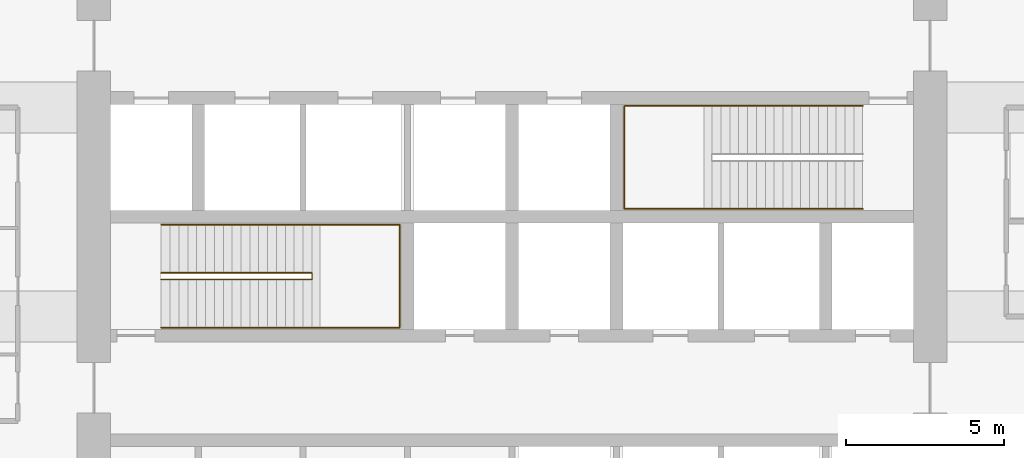
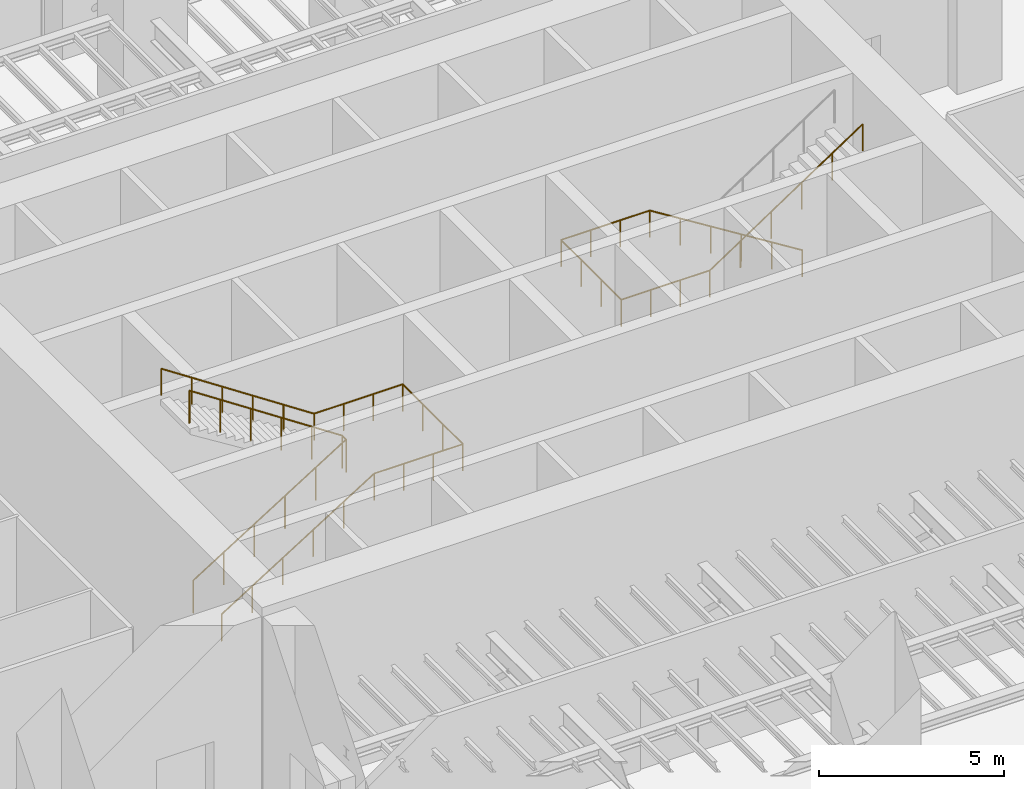
# One storey, part 16 of 17: 3 railings.
"""IFC4 building model written with IfcOpenShell, lengths in metres."""

from ifc_helpers import new_model, si_unit, direction, frame, origin, place, context, subcontext, project, spatial, polyline, outline, extrude, material, type_object, element, save


model = new_model("IFC4")

# Units and contexts
model_context = context("Model", 3, precision=1e-05, world=origin(), true_north=direction((0.0, 1.0)))
body_context = subcontext(model_context, "Body", "Model", "MODEL_VIEW")
ifc_project = project(units=[si_unit("LENGTHUNIT", "METRE"), si_unit("AREAUNIT", "SQUARE_METRE"), si_unit("VOLUMEUNIT", "CUBIC_METRE"), si_unit("PLANEANGLEUNIT", "RADIAN"), si_unit("MASSUNIT", "GRAM", prefix="KILO")], contexts=[model_context])

# Site, building, storey
site_placement = place(None, origin())
site = spatial("IfcSite", under=ifc_project, at=site_placement, CompositionType="ELEMENT")
building_placement = place(site_placement, origin())
building = spatial("IfcBuilding", under=site, at=building_placement, Name="Cobogo Forest Laboratory Tower", CompositionType="ELEMENT")
storey_placement = place(building_placement, frame((0.0, 0.0, 75.89990234375)))
storey = spatial("IfcBuildingStorey", under=building, at=storey_placement, Name="L17", CompositionType="ELEMENT", Elevation=75.89990234375)

# Railings
ifc_material_1 = material(Name="Steel balustrade", Category="steel")
railing_type_1 = type_object("IfcRailingType", Name="GR stair guard 1100", PredefinedType="GUARDRAIL", material=ifc_material_1)
railing_1_placement = place(storey_placement, frame((15.324951171875, 20.969970703125, 0.175048828125)))
element("IfcRailing", 1, at=railing_1_placement, inside=storey, type_object=railing_type_1, Name="Stair guard ST1 L17", PredefinedType="GUARDRAIL", context=body_context, shape_type="SweptSolid", body=[
    extrude(outline(polyline([(0.022216796875, 0.00927734375), (0.00927734375, 0.022216796875), (-0.00927734375, 0.022216796875), (-0.022216796875, 0.00927734375), (-0.022216796875, -0.00927734375), (-0.00927734375, -0.022216796875), (0.00927734375, -0.022216796875), (0.022216796875, -0.00927734375), (0.022216796875, 0.00927734375)])), frame((0.0, 0.0, 1.077880859375), z_axis=(0.847990973574, 0.0, 0.530010668512), x_axis=(0.0, 1.0, 0.0)), (0.0, 0.0, 1.0), 5.61328125),
    extrude(outline(polyline([(0.022216796875, 0.00927734375), (0.00927734375, 0.022216796875), (-0.00927734375, 0.022216796875), (-0.022216796875, 0.00927734375), (-0.022216796875, -0.00927734375), (-0.00927734375, -0.022216796875), (0.00927734375, -0.022216796875), (0.022216796875, -0.00927734375), (0.022216796875, 0.00927734375)])), frame((4.760009765625, 0.0, 4.052978515625), z_axis=(0.0, 1.0, 0.0), x_axis=(-1.0, 0.0, 0.0)), (0.0, 0.0, 1.0), 0.2099609375),
    extrude(outline(polyline([(0.022216796875, 0.00927734375), (0.00927734375, 0.022216796875), (-0.00927734375, 0.022216796875), (-0.022216796875, 0.00927734375), (-0.022216796875, -0.00927734375), (-0.00927734375, -0.022216796875), (0.00927734375, -0.022216796875), (0.022216796875, -0.00927734375), (0.022216796875, 0.00927734375)])), frame((4.760009765625, 0.2099609375, 4.052978515625), z_axis=(-0.833940600646, 0.0, 0.551854214983), x_axis=(0.0, -1.0, 0.0)), (0.0, 0.0, 1.0), 5.707763671875),
    extrude(outline(polyline([(0.019287109375, 0.008056640625), (0.008056640625, 0.019287109375), (-0.008056640625, 0.019287109375), (-0.019287109375, 0.008056640625), (-0.019287109375, -0.008056640625), (-0.008056640625, -0.019287109375), (0.008056640625, -0.019287109375), (0.019287109375, -0.008056640625), (0.019287109375, 0.008056640625)])), origin(), (0.0, 0.0, 1.0), 1.077880859375),
    extrude(outline(polyline([(0.019287109375, 0.008056640625), (0.008056640625, 0.019287109375), (-0.008056640625, 0.019287109375), (-0.019287109375, 0.008056640625), (-0.019287109375, -0.008056640625), (-0.008056640625, -0.019287109375), (0.008056640625, -0.019287109375), (0.019287109375, -0.008056640625), (0.019287109375, 0.008056640625)])), frame((0.951904296875, 0.0, 0.594970703125)), (0.0, 0.0, 1.0), 1.077880859375),
    extrude(outline(polyline([(0.019287109375, 0.008056640625), (0.008056640625, 0.019287109375), (-0.008056640625, 0.019287109375), (-0.019287109375, 0.008056640625), (-0.019287109375, -0.008056640625), (-0.008056640625, -0.019287109375), (0.008056640625, -0.019287109375), (0.019287109375, -0.008056640625), (0.019287109375, 0.008056640625)])), frame((1.904052734375, 0.0, 1.18994140625)), (0.0, 0.0, 1.0), 1.077880859375),
    extrude(outline(polyline([(0.019287109375, 0.008056640625), (0.008056640625, 0.019287109375), (-0.008056640625, 0.019287109375), (-0.019287109375, 0.008056640625), (-0.019287109375, -0.008056640625), (-0.008056640625, -0.019287109375), (0.008056640625, -0.019287109375), (0.019287109375, -0.008056640625), (0.019287109375, 0.008056640625)])), frame((2.85595703125, 0.0, 1.78515625)), (0.0, 0.0, 1.0), 1.077880859375),
    extrude(outline(polyline([(0.019287109375, 0.008056640625), (0.008056640625, 0.019287109375), (-0.008056640625, 0.019287109375), (-0.019287109375, 0.008056640625), (-0.019287109375, -0.008056640625), (-0.008056640625, -0.019287109375), (0.008056640625, -0.019287109375), (0.019287109375, -0.008056640625), (0.019287109375, 0.008056640625)])), frame((3.80810546875, 0.0, 2.380126953125)), (0.0, 0.0, 1.0), 1.077880859375),
    extrude(outline(polyline([(0.019287109375, 0.008056640625), (0.008056640625, 0.019287109375), (-0.008056640625, 0.019287109375), (-0.019287109375, 0.008056640625), (-0.019287109375, -0.008056640625), (-0.008056640625, -0.019287109375), (0.008056640625, -0.019287109375), (0.019287109375, -0.008056640625), (0.019287109375, 0.008056640625)])), frame((4.760009765625, 0.0, 2.97509765625)), (0.0, 0.0, 1.0), 1.077880859375),
    extrude(outline(polyline([(0.019287109375, 0.008056640625), (0.008056640625, 0.019287109375), (-0.008056640625, 0.019287109375), (-0.019287109375, 0.008056640625), (-0.019287109375, -0.008056640625), (-0.008056640625, -0.019287109375), (0.008056640625, -0.019287109375), (0.019287109375, -0.008056640625), (0.019287109375, 0.008056640625)])), frame((4.760009765625, 0.2099609375, 2.97509765625)), (0.0, 0.0, 1.0), 1.077880859375),
    extrude(outline(polyline([(0.019287109375, 0.008056640625), (0.008056640625, 0.019287109375), (-0.008056640625, 0.019287109375), (-0.019287109375, 0.008056640625), (-0.019287109375, -0.008056640625), (-0.008056640625, -0.019287109375), (0.008056640625, -0.019287109375), (0.019287109375, -0.008056640625), (0.019287109375, 0.008056640625)])), frame((3.80810546875, 0.2099609375, 3.60498046875)), (0.0, 0.0, 1.0), 1.077880859375),
    extrude(outline(polyline([(0.019287109375, 0.008056640625), (0.008056640625, 0.019287109375), (-0.008056640625, 0.019287109375), (-0.019287109375, 0.008056640625), (-0.019287109375, -0.008056640625), (-0.008056640625, -0.019287109375), (0.008056640625, -0.019287109375), (0.019287109375, -0.008056640625), (0.019287109375, 0.008056640625)])), frame((2.85595703125, 0.2099609375, 4.235107421875)), (0.0, 0.0, 1.0), 1.077880859375),
    extrude(outline(polyline([(0.019287109375, 0.008056640625), (0.008056640625, 0.019287109375), (-0.008056640625, 0.019287109375), (-0.019287109375, 0.008056640625), (-0.019287109375, -0.008056640625), (-0.008056640625, -0.019287109375), (0.008056640625, -0.019287109375), (0.019287109375, -0.008056640625), (0.019287109375, 0.008056640625)])), frame((1.904052734375, 0.2099609375, 4.864990234375)), (0.0, 0.0, 1.0), 1.077880859375),
    extrude(outline(polyline([(0.019287109375, 0.008056640625), (0.008056640625, 0.019287109375), (-0.008056640625, 0.019287109375), (-0.019287109375, 0.008056640625), (-0.019287109375, -0.008056640625), (-0.008056640625, -0.019287109375), (0.008056640625, -0.019287109375), (0.019287109375, -0.008056640625), (0.019287109375, 0.008056640625)])), frame((0.951904296875, 0.2099609375, 5.4951171875)), (0.0, 0.0, 1.0), 1.077880859375),
    extrude(outline(polyline([(0.019287109375, 0.008056640625), (0.008056640625, 0.019287109375), (-0.008056640625, 0.019287109375), (-0.019287109375, 0.008056640625), (-0.019287109375, -0.008056640625), (-0.008056640625, -0.019287109375), (0.008056640625, -0.019287109375), (0.019287109375, -0.008056640625), (0.019287109375, 0.008056640625)])), frame((0.0, 0.2099609375, 6.125)), (0.0, 0.0, 1.0), 1.077880859375),
])
ifc_material_2 = material(Name="Stainless steel handrail", Category="steel")
railing_type_2 = type_object("IfcRailingType", Name="HR handrail 900", PredefinedType="HANDRAIL", material=ifc_material_2)
railing_2_placement = place(storey_placement, frame((15.324951171875, 19.449951171875, 0.175048828125)))
element("IfcRailing", 2, at=railing_2_placement, inside=storey, type_object=railing_type_2, Name="Stair handrail ST1 L17", PredefinedType="HANDRAIL", context=body_context, shape_type="SweptSolid", body=[
    extrude(outline(polyline([(0.022216796875, 0.00927734375), (0.00927734375, 0.022216796875), (-0.00927734375, 0.022216796875), (-0.022216796875, 0.00927734375), (-0.022216796875, -0.00927734375), (-0.00927734375, -0.022216796875), (0.00927734375, -0.022216796875), (0.022216796875, -0.00927734375), (0.022216796875, 0.00927734375)])), frame((0.0, 0.0, 0.877685546875), z_axis=(0.847990973574, 0.0, 0.530010668512), x_axis=(0.0, 1.0, 0.0)), (0.0, 0.0, 1.0), 5.61328125),
    extrude(outline(polyline([(0.022216796875, 0.00927734375), (0.00927734375, 0.022216796875), (-0.00927734375, 0.022216796875), (-0.022216796875, 0.00927734375), (-0.022216796875, -0.00927734375), (-0.00927734375, -0.022216796875), (0.00927734375, -0.022216796875), (0.022216796875, -0.00927734375), (0.022216796875, 0.00927734375)])), frame((4.760009765625, 0.0, 3.852783203125), z_axis=(1.0, 0.0, 0.0), x_axis=(0.0, 1.0, 0.0)), (0.0, 0.0, 1.0), 2.76513671875),
    extrude(outline(polyline([(0.022216796875, 0.00927734375), (0.00927734375, 0.022216796875), (-0.00927734375, 0.022216796875), (-0.022216796875, 0.00927734375), (-0.022216796875, -0.00927734375), (-0.00927734375, -0.022216796875), (0.00927734375, -0.022216796875), (0.022216796875, -0.00927734375), (0.022216796875, 0.00927734375)])), frame((7.525146484375, 0.0, 3.852783203125), z_axis=(0.0, 1.0, 0.0), x_axis=(-1.0, 0.0, 0.0)), (0.0, 0.0, 1.0), 3.25),
    extrude(outline(polyline([(0.022216796875, 0.00927734375), (0.00927734375, 0.022216796875), (-0.00927734375, 0.022216796875), (-0.022216796875, 0.00927734375), (-0.022216796875, -0.00927734375), (-0.00927734375, -0.022216796875), (0.00927734375, -0.022216796875), (0.022216796875, -0.00927734375), (0.022216796875, 0.00927734375)])), frame((7.525146484375, 3.25, 3.852783203125), z_axis=(-1.0, 0.0, 0.0), x_axis=(0.0, -1.0, 0.0)), (0.0, 0.0, 1.0), 2.76513671875),
    extrude(outline(polyline([(0.022216796875, 0.00927734375), (0.00927734375, 0.022216796875), (-0.00927734375, 0.022216796875), (-0.022216796875, 0.00927734375), (-0.022216796875, -0.00927734375), (-0.00927734375, -0.022216796875), (0.00927734375, -0.022216796875), (0.022216796875, -0.00927734375), (0.022216796875, 0.00927734375)])), frame((4.760009765625, 3.25, 3.852783203125), z_axis=(-0.833940600646, 0.0, 0.551854214983), x_axis=(0.0, -1.0, 0.0)), (0.0, 0.0, 1.0), 5.707763671875),
    extrude(outline(polyline([(0.019287109375, 0.008056640625), (0.008056640625, 0.019287109375), (-0.008056640625, 0.019287109375), (-0.019287109375, 0.008056640625), (-0.019287109375, -0.008056640625), (-0.008056640625, -0.019287109375), (0.008056640625, -0.019287109375), (0.019287109375, -0.008056640625), (0.019287109375, 0.008056640625)])), origin(), (0.0, 0.0, 1.0), 0.877685546875),
    extrude(outline(polyline([(0.019287109375, 0.008056640625), (0.008056640625, 0.019287109375), (-0.008056640625, 0.019287109375), (-0.019287109375, 0.008056640625), (-0.019287109375, -0.008056640625), (-0.008056640625, -0.019287109375), (0.008056640625, -0.019287109375), (0.019287109375, -0.008056640625), (0.019287109375, 0.008056640625)])), frame((0.951904296875, 0.0, 0.594970703125)), (0.0, 0.0, 1.0), 0.877685546875),
    extrude(outline(polyline([(0.019287109375, 0.008056640625), (0.008056640625, 0.019287109375), (-0.008056640625, 0.019287109375), (-0.019287109375, 0.008056640625), (-0.019287109375, -0.008056640625), (-0.008056640625, -0.019287109375), (0.008056640625, -0.019287109375), (0.019287109375, -0.008056640625), (0.019287109375, 0.008056640625)])), frame((1.904052734375, 0.0, 1.18994140625)), (0.0, 0.0, 1.0), 0.877685546875),
    extrude(outline(polyline([(0.019287109375, 0.008056640625), (0.008056640625, 0.019287109375), (-0.008056640625, 0.019287109375), (-0.019287109375, 0.008056640625), (-0.019287109375, -0.008056640625), (-0.008056640625, -0.019287109375), (0.008056640625, -0.019287109375), (0.019287109375, -0.008056640625), (0.019287109375, 0.008056640625)])), frame((2.85595703125, 0.0, 1.78515625)), (0.0, 0.0, 1.0), 0.877685546875),
    extrude(outline(polyline([(0.019287109375, 0.008056640625), (0.008056640625, 0.019287109375), (-0.008056640625, 0.019287109375), (-0.019287109375, 0.008056640625), (-0.019287109375, -0.008056640625), (-0.008056640625, -0.019287109375), (0.008056640625, -0.019287109375), (0.019287109375, -0.008056640625), (0.019287109375, 0.008056640625)])), frame((3.80810546875, 0.0, 2.380126953125)), (0.0, 0.0, 1.0), 0.877685546875),
    extrude(outline(polyline([(0.019287109375, 0.008056640625), (0.008056640625, 0.019287109375), (-0.008056640625, 0.019287109375), (-0.019287109375, 0.008056640625), (-0.019287109375, -0.008056640625), (-0.008056640625, -0.019287109375), (0.008056640625, -0.019287109375), (0.019287109375, -0.008056640625), (0.019287109375, 0.008056640625)])), frame((4.760009765625, 0.0, 2.97509765625)), (0.0, 0.0, 1.0), 0.877685546875),
    extrude(outline(polyline([(0.019287109375, 0.008056640625), (0.008056640625, 0.019287109375), (-0.008056640625, 0.019287109375), (-0.019287109375, 0.008056640625), (-0.019287109375, -0.008056640625), (-0.008056640625, -0.019287109375), (0.008056640625, -0.019287109375), (0.019287109375, -0.008056640625), (0.019287109375, 0.008056640625)])), frame((5.681640625, 0.0, 2.97509765625)), (0.0, 0.0, 1.0), 0.877685546875),
    extrude(outline(polyline([(0.019287109375, 0.008056640625), (0.008056640625, 0.019287109375), (-0.008056640625, 0.019287109375), (-0.019287109375, 0.008056640625), (-0.019287109375, -0.008056640625), (-0.008056640625, -0.019287109375), (0.008056640625, -0.019287109375), (0.019287109375, -0.008056640625), (0.019287109375, 0.008056640625)])), frame((6.603515625, 0.0, 2.97509765625)), (0.0, 0.0, 1.0), 0.877685546875),
    extrude(outline(polyline([(0.019287109375, 0.008056640625), (0.008056640625, 0.019287109375), (-0.008056640625, 0.019287109375), (-0.019287109375, 0.008056640625), (-0.019287109375, -0.008056640625), (-0.008056640625, -0.019287109375), (0.008056640625, -0.019287109375), (0.019287109375, -0.008056640625), (0.019287109375, 0.008056640625)])), frame((7.525146484375, 0.0, 2.97509765625)), (0.0, 0.0, 1.0), 0.877685546875),
    extrude(outline(polyline([(0.019287109375, 0.008056640625), (0.008056640625, 0.019287109375), (-0.008056640625, 0.019287109375), (-0.019287109375, 0.008056640625), (-0.019287109375, -0.008056640625), (-0.008056640625, -0.019287109375), (0.008056640625, -0.019287109375), (0.019287109375, -0.008056640625), (0.019287109375, 0.008056640625)])), frame((7.525146484375, 1.083251953125, 2.97509765625)), (0.0, 0.0, 1.0), 0.877685546875),
    extrude(outline(polyline([(0.019287109375, 0.008056640625), (0.008056640625, 0.019287109375), (-0.008056640625, 0.019287109375), (-0.019287109375, 0.008056640625), (-0.019287109375, -0.008056640625), (-0.008056640625, -0.019287109375), (0.008056640625, -0.019287109375), (0.019287109375, -0.008056640625), (0.019287109375, 0.008056640625)])), frame((7.525146484375, 2.166748046875, 2.97509765625)), (0.0, 0.0, 1.0), 0.877685546875),
    extrude(outline(polyline([(0.019287109375, 0.008056640625), (0.008056640625, 0.019287109375), (-0.008056640625, 0.019287109375), (-0.019287109375, 0.008056640625), (-0.019287109375, -0.008056640625), (-0.008056640625, -0.019287109375), (0.008056640625, -0.019287109375), (0.019287109375, -0.008056640625), (0.019287109375, 0.008056640625)])), frame((7.525146484375, 3.25, 2.97509765625)), (0.0, 0.0, 1.0), 0.877685546875),
    extrude(outline(polyline([(0.019287109375, 0.008056640625), (0.008056640625, 0.019287109375), (-0.008056640625, 0.019287109375), (-0.019287109375, 0.008056640625), (-0.019287109375, -0.008056640625), (-0.008056640625, -0.019287109375), (0.008056640625, -0.019287109375), (0.019287109375, -0.008056640625), (0.019287109375, 0.008056640625)])), frame((6.603515625, 3.25, 2.97509765625)), (0.0, 0.0, 1.0), 0.877685546875),
    extrude(outline(polyline([(0.019287109375, 0.008056640625), (0.008056640625, 0.019287109375), (-0.008056640625, 0.019287109375), (-0.019287109375, 0.008056640625), (-0.019287109375, -0.008056640625), (-0.008056640625, -0.019287109375), (0.008056640625, -0.019287109375), (0.019287109375, -0.008056640625), (0.019287109375, 0.008056640625)])), frame((5.681640625, 3.25, 2.97509765625)), (0.0, 0.0, 1.0), 0.877685546875),
    extrude(outline(polyline([(0.019287109375, 0.008056640625), (0.008056640625, 0.019287109375), (-0.008056640625, 0.019287109375), (-0.019287109375, 0.008056640625), (-0.019287109375, -0.008056640625), (-0.008056640625, -0.019287109375), (0.008056640625, -0.019287109375), (0.019287109375, -0.008056640625), (0.019287109375, 0.008056640625)])), frame((4.760009765625, 3.25, 2.97509765625)), (0.0, 0.0, 1.0), 0.877685546875),
    extrude(outline(polyline([(0.019287109375, 0.008056640625), (0.008056640625, 0.019287109375), (-0.008056640625, 0.019287109375), (-0.019287109375, 0.008056640625), (-0.019287109375, -0.008056640625), (-0.008056640625, -0.019287109375), (0.008056640625, -0.019287109375), (0.019287109375, -0.008056640625), (0.019287109375, 0.008056640625)])), frame((3.80810546875, 3.25, 3.60498046875)), (0.0, 0.0, 1.0), 0.877685546875),
    extrude(outline(polyline([(0.019287109375, 0.008056640625), (0.008056640625, 0.019287109375), (-0.008056640625, 0.019287109375), (-0.019287109375, 0.008056640625), (-0.019287109375, -0.008056640625), (-0.008056640625, -0.019287109375), (0.008056640625, -0.019287109375), (0.019287109375, -0.008056640625), (0.019287109375, 0.008056640625)])), frame((2.85595703125, 3.25, 4.235107421875)), (0.0, 0.0, 1.0), 0.877685546875),
    extrude(outline(polyline([(0.019287109375, 0.008056640625), (0.008056640625, 0.019287109375), (-0.008056640625, 0.019287109375), (-0.019287109375, 0.008056640625), (-0.019287109375, -0.008056640625), (-0.008056640625, -0.019287109375), (0.008056640625, -0.019287109375), (0.019287109375, -0.008056640625), (0.019287109375, 0.008056640625)])), frame((1.904052734375, 3.25, 4.864990234375)), (0.0, 0.0, 1.0), 0.877685546875),
    extrude(outline(polyline([(0.019287109375, 0.008056640625), (0.008056640625, 0.019287109375), (-0.008056640625, 0.019287109375), (-0.019287109375, 0.008056640625), (-0.019287109375, -0.008056640625), (-0.008056640625, -0.019287109375), (0.008056640625, -0.019287109375), (0.019287109375, -0.008056640625), (0.019287109375, 0.008056640625)])), frame((0.951904296875, 3.25, 5.4951171875)), (0.0, 0.0, 1.0), 0.877685546875),
    extrude(outline(polyline([(0.019287109375, 0.008056640625), (0.008056640625, 0.019287109375), (-0.008056640625, 0.019287109375), (-0.019287109375, 0.008056640625), (-0.019287109375, -0.008056640625), (-0.008056640625, -0.019287109375), (0.008056640625, -0.019287109375), (0.019287109375, -0.008056640625), (0.019287109375, 0.008056640625)])), frame((0.0, 3.25, 6.125)), (0.0, 0.0, 1.0), 0.877685546875),
])
railing_3_placement = place(storey_placement, frame((37.47509765625, 26.449951171875, 0.175048828125)))
element("IfcRailing", 3, at=railing_3_placement, inside=storey, type_object=railing_type_2, Name="Stair handrail ST2 L17", PredefinedType="HANDRAIL", context=body_context, shape_type="SweptSolid", body=[
    extrude(outline(polyline([(0.022216796875, 0.00927734375), (0.00927734375, 0.022216796875), (-0.00927734375, 0.022216796875), (-0.022216796875, 0.00927734375), (-0.022216796875, -0.00927734375), (-0.00927734375, -0.022216796875), (0.00927734375, -0.022216796875), (0.022216796875, -0.00927734375), (0.022216796875, 0.00927734375)])), frame((0.0, 0.0, 0.877685546875), z_axis=(-0.847990973574, 0.0, 0.530010668512), x_axis=(0.0, -1.0, 0.0)), (0.0, 0.0, 1.0), 5.61328125),
    extrude(outline(polyline([(0.022216796875, 0.00927734375), (0.00927734375, 0.022216796875), (-0.00927734375, 0.022216796875), (-0.022216796875, 0.00927734375), (-0.022216796875, -0.00927734375), (-0.00927734375, -0.022216796875), (0.00927734375, -0.022216796875), (0.022216796875, -0.00927734375), (0.022216796875, 0.00927734375)])), frame((-4.760009765625, 0.0, 3.852783203125), z_axis=(-1.0, 0.0, 0.0), x_axis=(0.0, -1.0, 0.0)), (0.0, 0.0, 1.0), 2.76513671875),
    extrude(outline(polyline([(0.022216796875, 0.00927734375), (0.00927734375, 0.022216796875), (-0.00927734375, 0.022216796875), (-0.022216796875, 0.00927734375), (-0.022216796875, -0.00927734375), (-0.00927734375, -0.022216796875), (0.00927734375, -0.022216796875), (0.022216796875, -0.00927734375), (0.022216796875, 0.00927734375)])), frame((-7.525146484375, 0.0, 3.852783203125), z_axis=(0.0, -1.0, 0.0), x_axis=(1.0, 0.0, 0.0)), (0.0, 0.0, 1.0), 3.25),
    extrude(outline(polyline([(0.022216796875, 0.00927734375), (0.00927734375, 0.022216796875), (-0.00927734375, 0.022216796875), (-0.022216796875, 0.00927734375), (-0.022216796875, -0.00927734375), (-0.00927734375, -0.022216796875), (0.00927734375, -0.022216796875), (0.022216796875, -0.00927734375), (0.022216796875, 0.00927734375)])), frame((-7.525146484375, -3.25, 3.852783203125), z_axis=(1.0, 0.0, 0.0), x_axis=(0.0, 1.0, 0.0)), (0.0, 0.0, 1.0), 2.76513671875),
    extrude(outline(polyline([(0.022216796875, 0.00927734375), (0.00927734375, 0.022216796875), (-0.00927734375, 0.022216796875), (-0.022216796875, 0.00927734375), (-0.022216796875, -0.00927734375), (-0.00927734375, -0.022216796875), (0.00927734375, -0.022216796875), (0.022216796875, -0.00927734375), (0.022216796875, 0.00927734375)])), frame((-4.760009765625, -3.25, 3.852783203125), z_axis=(0.833940600646, 0.0, 0.551854214983), x_axis=(0.0, 1.0, 0.0)), (0.0, 0.0, 1.0), 5.707763671875),
    extrude(outline(polyline([(0.019287109375, 0.008056640625), (0.008056640625, 0.019287109375), (-0.008056640625, 0.019287109375), (-0.019287109375, 0.008056640625), (-0.019287109375, -0.008056640625), (-0.008056640625, -0.019287109375), (0.008056640625, -0.019287109375), (0.019287109375, -0.008056640625), (0.019287109375, 0.008056640625)])), origin(), (0.0, 0.0, 1.0), 0.877685546875),
    extrude(outline(polyline([(0.019287109375, 0.008056640625), (0.008056640625, 0.019287109375), (-0.008056640625, 0.019287109375), (-0.019287109375, 0.008056640625), (-0.019287109375, -0.008056640625), (-0.008056640625, -0.019287109375), (0.008056640625, -0.019287109375), (0.019287109375, -0.008056640625), (0.019287109375, 0.008056640625)])), frame((-0.951904296875, 0.0, 0.594970703125)), (0.0, 0.0, 1.0), 0.877685546875),
    extrude(outline(polyline([(0.019287109375, 0.008056640625), (0.008056640625, 0.019287109375), (-0.008056640625, 0.019287109375), (-0.019287109375, 0.008056640625), (-0.019287109375, -0.008056640625), (-0.008056640625, -0.019287109375), (0.008056640625, -0.019287109375), (0.019287109375, -0.008056640625), (0.019287109375, 0.008056640625)])), frame((-1.904052734375, 0.0, 1.18994140625)), (0.0, 0.0, 1.0), 0.877685546875),
    extrude(outline(polyline([(0.019287109375, 0.008056640625), (0.008056640625, 0.019287109375), (-0.008056640625, 0.019287109375), (-0.019287109375, 0.008056640625), (-0.019287109375, -0.008056640625), (-0.008056640625, -0.019287109375), (0.008056640625, -0.019287109375), (0.019287109375, -0.008056640625), (0.019287109375, 0.008056640625)])), frame((-2.85595703125, 0.0, 1.78515625)), (0.0, 0.0, 1.0), 0.877685546875),
    extrude(outline(polyline([(0.019287109375, 0.008056640625), (0.008056640625, 0.019287109375), (-0.008056640625, 0.019287109375), (-0.019287109375, 0.008056640625), (-0.019287109375, -0.008056640625), (-0.008056640625, -0.019287109375), (0.008056640625, -0.019287109375), (0.019287109375, -0.008056640625), (0.019287109375, 0.008056640625)])), frame((-3.80810546875, 0.0, 2.380126953125)), (0.0, 0.0, 1.0), 0.877685546875),
    extrude(outline(polyline([(0.019287109375, 0.008056640625), (0.008056640625, 0.019287109375), (-0.008056640625, 0.019287109375), (-0.019287109375, 0.008056640625), (-0.019287109375, -0.008056640625), (-0.008056640625, -0.019287109375), (0.008056640625, -0.019287109375), (0.019287109375, -0.008056640625), (0.019287109375, 0.008056640625)])), frame((-4.760009765625, 0.0, 2.97509765625)), (0.0, 0.0, 1.0), 0.877685546875),
    extrude(outline(polyline([(0.019287109375, 0.008056640625), (0.008056640625, 0.019287109375), (-0.008056640625, 0.019287109375), (-0.019287109375, 0.008056640625), (-0.019287109375, -0.008056640625), (-0.008056640625, -0.019287109375), (0.008056640625, -0.019287109375), (0.019287109375, -0.008056640625), (0.019287109375, 0.008056640625)])), frame((-5.681640625, 0.0, 2.97509765625)), (0.0, 0.0, 1.0), 0.877685546875),
    extrude(outline(polyline([(0.019287109375, 0.008056640625), (0.008056640625, 0.019287109375), (-0.008056640625, 0.019287109375), (-0.019287109375, 0.008056640625), (-0.019287109375, -0.008056640625), (-0.008056640625, -0.019287109375), (0.008056640625, -0.019287109375), (0.019287109375, -0.008056640625), (0.019287109375, 0.008056640625)])), frame((-6.603515625, 0.0, 2.97509765625)), (0.0, 0.0, 1.0), 0.877685546875),
    extrude(outline(polyline([(0.019287109375, 0.008056640625), (0.008056640625, 0.019287109375), (-0.008056640625, 0.019287109375), (-0.019287109375, 0.008056640625), (-0.019287109375, -0.008056640625), (-0.008056640625, -0.019287109375), (0.008056640625, -0.019287109375), (0.019287109375, -0.008056640625), (0.019287109375, 0.008056640625)])), frame((-7.525146484375, 0.0, 2.97509765625)), (0.0, 0.0, 1.0), 0.877685546875),
    extrude(outline(polyline([(0.019287109375, 0.008056640625), (0.008056640625, 0.019287109375), (-0.008056640625, 0.019287109375), (-0.019287109375, 0.008056640625), (-0.019287109375, -0.008056640625), (-0.008056640625, -0.019287109375), (0.008056640625, -0.019287109375), (0.019287109375, -0.008056640625), (0.019287109375, 0.008056640625)])), frame((-7.525146484375, -1.083251953125, 2.97509765625)), (0.0, 0.0, 1.0), 0.877685546875),
    extrude(outline(polyline([(0.019287109375, 0.008056640625), (0.008056640625, 0.019287109375), (-0.008056640625, 0.019287109375), (-0.019287109375, 0.008056640625), (-0.019287109375, -0.008056640625), (-0.008056640625, -0.019287109375), (0.008056640625, -0.019287109375), (0.019287109375, -0.008056640625), (0.019287109375, 0.008056640625)])), frame((-7.525146484375, -2.166748046875, 2.97509765625)), (0.0, 0.0, 1.0), 0.877685546875),
    extrude(outline(polyline([(0.019287109375, 0.008056640625), (0.008056640625, 0.019287109375), (-0.008056640625, 0.019287109375), (-0.019287109375, 0.008056640625), (-0.019287109375, -0.008056640625), (-0.008056640625, -0.019287109375), (0.008056640625, -0.019287109375), (0.019287109375, -0.008056640625), (0.019287109375, 0.008056640625)])), frame((-7.525146484375, -3.25, 2.97509765625)), (0.0, 0.0, 1.0), 0.877685546875),
    extrude(outline(polyline([(0.019287109375, 0.008056640625), (0.008056640625, 0.019287109375), (-0.008056640625, 0.019287109375), (-0.019287109375, 0.008056640625), (-0.019287109375, -0.008056640625), (-0.008056640625, -0.019287109375), (0.008056640625, -0.019287109375), (0.019287109375, -0.008056640625), (0.019287109375, 0.008056640625)])), frame((-6.603515625, -3.25, 2.97509765625)), (0.0, 0.0, 1.0), 0.877685546875),
    extrude(outline(polyline([(0.019287109375, 0.008056640625), (0.008056640625, 0.019287109375), (-0.008056640625, 0.019287109375), (-0.019287109375, 0.008056640625), (-0.019287109375, -0.008056640625), (-0.008056640625, -0.019287109375), (0.008056640625, -0.019287109375), (0.019287109375, -0.008056640625), (0.019287109375, 0.008056640625)])), frame((-5.681640625, -3.25, 2.97509765625)), (0.0, 0.0, 1.0), 0.877685546875),
    extrude(outline(polyline([(0.019287109375, 0.008056640625), (0.008056640625, 0.019287109375), (-0.008056640625, 0.019287109375), (-0.019287109375, 0.008056640625), (-0.019287109375, -0.008056640625), (-0.008056640625, -0.019287109375), (0.008056640625, -0.019287109375), (0.019287109375, -0.008056640625), (0.019287109375, 0.008056640625)])), frame((-4.760009765625, -3.25, 2.97509765625)), (0.0, 0.0, 1.0), 0.877685546875),
    extrude(outline(polyline([(0.019287109375, 0.008056640625), (0.008056640625, 0.019287109375), (-0.008056640625, 0.019287109375), (-0.019287109375, 0.008056640625), (-0.019287109375, -0.008056640625), (-0.008056640625, -0.019287109375), (0.008056640625, -0.019287109375), (0.019287109375, -0.008056640625), (0.019287109375, 0.008056640625)])), frame((-3.80810546875, -3.25, 3.60498046875)), (0.0, 0.0, 1.0), 0.877685546875),
    extrude(outline(polyline([(0.019287109375, 0.008056640625), (0.008056640625, 0.019287109375), (-0.008056640625, 0.019287109375), (-0.019287109375, 0.008056640625), (-0.019287109375, -0.008056640625), (-0.008056640625, -0.019287109375), (0.008056640625, -0.019287109375), (0.019287109375, -0.008056640625), (0.019287109375, 0.008056640625)])), frame((-2.85595703125, -3.25, 4.235107421875)), (0.0, 0.0, 1.0), 0.877685546875),
    extrude(outline(polyline([(0.019287109375, 0.008056640625), (0.008056640625, 0.019287109375), (-0.008056640625, 0.019287109375), (-0.019287109375, 0.008056640625), (-0.019287109375, -0.008056640625), (-0.008056640625, -0.019287109375), (0.008056640625, -0.019287109375), (0.019287109375, -0.008056640625), (0.019287109375, 0.008056640625)])), frame((-1.904052734375, -3.25, 4.864990234375)), (0.0, 0.0, 1.0), 0.877685546875),
    extrude(outline(polyline([(0.019287109375, 0.008056640625), (0.008056640625, 0.019287109375), (-0.008056640625, 0.019287109375), (-0.019287109375, 0.008056640625), (-0.019287109375, -0.008056640625), (-0.008056640625, -0.019287109375), (0.008056640625, -0.019287109375), (0.019287109375, -0.008056640625), (0.019287109375, 0.008056640625)])), frame((-0.951904296875, -3.25, 5.4951171875)), (0.0, 0.0, 1.0), 0.877685546875),
    extrude(outline(polyline([(0.019287109375, 0.008056640625), (0.008056640625, 0.019287109375), (-0.008056640625, 0.019287109375), (-0.019287109375, 0.008056640625), (-0.019287109375, -0.008056640625), (-0.008056640625, -0.019287109375), (0.008056640625, -0.019287109375), (0.019287109375, -0.008056640625), (0.019287109375, 0.008056640625)])), frame((0.0, -3.25, 6.125)), (0.0, 0.0, 1.0), 0.877685546875),
])

save(model, "model.ifc")
